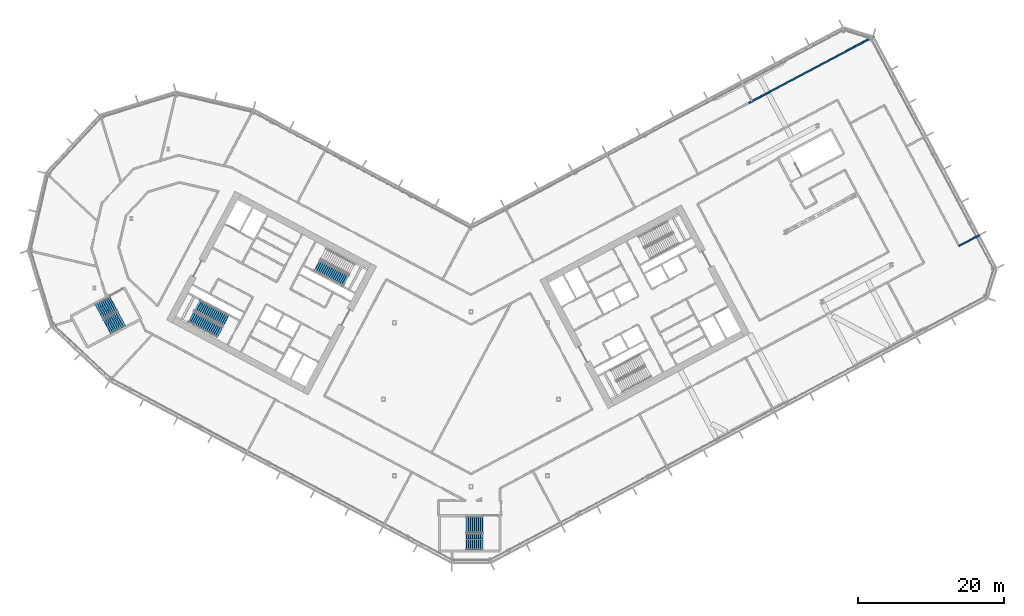
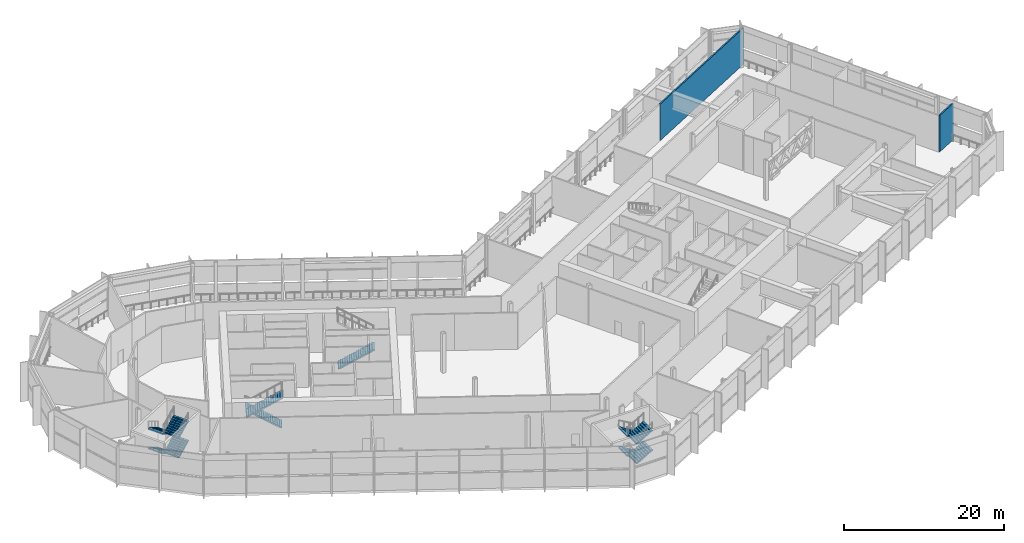
# One storey, part 17 of 33: 11 stair flights, 2 walls, 4 elements without a shape of their own.
"""IFC4 building model written with IfcOpenShell, lengths in metres."""

from ifc_helpers import new_model, si_unit, direction, frame, frame_2d, origin, place, context, subcontext, project, spatial, polyline, rectangle, outline, extrude, material, layer, layer_set, type_object, element, aggregate, save


model = new_model("IFC4")

# Units and contexts
model_context = context("Model", 3, precision=1e-05, world=origin(), true_north=direction((0.0, 1.0)))
body_context = subcontext(model_context, "Body", "Model", "MODEL_VIEW")
ifc_project = project(units=[si_unit("LENGTHUNIT", "METRE"), si_unit("AREAUNIT", "SQUARE_METRE"), si_unit("VOLUMEUNIT", "CUBIC_METRE"), si_unit("PLANEANGLEUNIT", "RADIAN"), si_unit("MASSUNIT", "GRAM", prefix="KILO")], contexts=[model_context])

# Site, building, storey
site_placement = place(None, origin())
site = spatial("IfcSite", under=ifc_project, at=site_placement, CompositionType="ELEMENT")
building_placement = place(site_placement, origin())
building = spatial("IfcBuilding", under=site, at=building_placement, Name="Cormorant Relay Tower", CompositionType="ELEMENT")
storey_placement = place(building_placement, frame((0.0, 0.0, 112.199951171875)))
storey = spatial("IfcBuildingStorey", under=building, at=storey_placement, Name="L22", CompositionType="ELEMENT", Elevation=112.199951171875)

# Walls
ifc_material_1 = material(Name="Fire-rated gypsum board partition")
ifc_layer = layer(ifc_material_1, 0.199951171875)
ifc_layer_set = layer_set([ifc_layer], Name="Fire-rated gypsum partition 200")
wall_type = type_object("IfcWallType", Name="Fire-rated gypsum partition 200", PredefinedType="PARTITIONING", material=ifc_layer_set)
wall_1_placement = place(storey_placement, frame((38.028076171875, 40.60693359375, 0.0), z_axis=(0.0, 0.0, 1.0), x_axis=(0.882955326711, 0.469457017237, 0.0)))
element("IfcWall", 1, at=wall_1_placement, inside=storey, type_object=wall_type, Name="wall/L22/part/67", PredefinedType="PARTITIONING", context=body_context, shape_type="SweptSolid", body=[
    extrude(rectangle(XDim=19.576171875, YDim=0.199951171875, at=frame_2d((9.7880859375, 0.0))), origin(), (0.0, 0.0, 1.0), 5.550048828125),
])
wall_2_placement = place(storey_placement, frame((66.9580078125, 21.0419921875, 0.0), z_axis=(0.0, 0.0, 1.0), x_axis=(0.883221370652, 0.468956299056, 0.0)))
element("IfcWall", 2, at=wall_2_placement, inside=storey, type_object=wall_type, Name="wall/L22/part/85", PredefinedType="PARTITIONING", context=body_context, shape_type="SweptSolid", body=[
    extrude(rectangle(XDim=3.20068359375, YDim=0.199951171875, at=frame_2d((1.600341796875, 0.0))), origin(), (0.0, 0.0, 1.0), 5.550048828125),
])

# Stair, stair flight
ifc_material_2 = material(Name="Concrete 40 MPa", Category="concrete")
stair_type_1 = type_object("IfcStairType", Name="Exit stair 1500", PredefinedType="HALF_TURN_STAIR", material=ifc_material_2)
stair_1_placement = place(storey_placement, origin())
stair_1 = element("IfcStair", 3, at=stair_1_placement, inside=storey, type_object=stair_type_1, Name="L22 Stair", PredefinedType="HALF_TURN_STAIR")
ifc_material_3 = material(Name="Concrete 40 MPa", Category="concrete")
stair_flight_type_1 = type_object("IfcStairFlightType", Name="Exit stair flight 1650", PredefinedType="STRAIGHT", material=ifc_material_3)
stair_flight_1_placement = place(storey_placement, frame((-21.114501953125, 18.33349609375, 0.0), z_axis=(0.0, 0.0, 1.0), x_axis=(0.882947592859, -0.469471562786, 0.0)))
stair_flight_1 = element("IfcStairFlight", 4, at=stair_flight_1_placement, type_object=stair_flight_type_1, Name="A1 flight 1", NumberOfRisers=17, NumberOfTreads=16, PredefinedType="STRAIGHT", RiserHeight=0.176470588, TreadLength=0.28, context=body_context, shape_type="SweptSolid", body=[
    extrude(outline(polyline([(-0.050048828125, -0.080078125), (-0.050048828125, 0.0), (0.0, 0.0), (0.0, 0.176513671875), (0.280029296875, 0.176513671875), (0.280029296875, 0.35302734375), (0.56005859375, 0.35302734375), (0.56005859375, 0.529296875), (0.840087890625, 0.529296875), (0.840087890625, 0.705810546875), (1.1201171875, 0.705810546875), (1.1201171875, 0.88232421875), (1.39990234375, 0.88232421875), (1.39990234375, 1.058837890625), (1.679931640625, 1.058837890625), (1.679931640625, 1.2353515625), (1.9599609375, 1.2353515625), (1.9599609375, 1.411865234375), (2.239990234375, 1.411865234375), (2.239990234375, 1.588134765625), (2.52001953125, 1.588134765625), (2.52001953125, 1.7646484375), (2.800048828125, 1.7646484375), (2.800048828125, 1.941162109375), (3.080078125, 1.941162109375), (3.080078125, 2.11767578125), (3.360107421875, 2.11767578125), (3.360107421875, 2.294189453125), (3.639892578125, 2.294189453125), (3.639892578125, 2.470703125), (3.919921875, 2.470703125), (3.919921875, 2.64697265625), (4.199951171875, 2.64697265625), (4.199951171875, 2.823486328125), (4.47998046875, 2.823486328125), (4.530029296875, 2.823486328125), (4.530029296875, 2.646240234375), (4.47998046875, 2.646240234375), (0.28125, 0.0), (-0.050048828125, -0.080078125)])), frame((0.0, 0.824951171875, 0.0), z_axis=(0.0, -1.0, 0.0), x_axis=(1.0, 0.0, 0.0)), (0.0, 0.0, 1.0), 1.64990234375),
])
aggregate(stair_1, [stair_flight_1])

# Stair, stair flights
stair_2_placement = place(storey_placement, origin())
stair_2 = element("IfcStair", 5, at=stair_2_placement, inside=storey, type_object=stair_type_1, Name="L22 Stair", PredefinedType="HALF_TURN_STAIR")
stair_flight_2_placement = place(storey_placement, frame((-33.62841796875, 10.773681640625, 0.0), z_axis=(0.0, 0.0, 1.0), x_axis=(-0.882947592859, 0.469471562786, 0.0)))
stair_flight_2 = element("IfcStairFlight", 6, at=stair_flight_2_placement, type_object=stair_flight_type_1, Name="A2 flight 1", NumberOfRisers=17, NumberOfTreads=16, PredefinedType="STRAIGHT", RiserHeight=0.176470588, TreadLength=0.28, context=body_context, shape_type="SweptSolid", body=[
    extrude(outline(polyline([(-0.050048828125, -0.080078125), (-0.050048828125, 0.0), (0.0, 0.0), (0.0, 0.176513671875), (0.280029296875, 0.176513671875), (0.280029296875, 0.35302734375), (0.56005859375, 0.35302734375), (0.56005859375, 0.529296875), (0.840087890625, 0.529296875), (0.840087890625, 0.705810546875), (1.1201171875, 0.705810546875), (1.1201171875, 0.88232421875), (1.39990234375, 0.88232421875), (1.39990234375, 1.058837890625), (1.679931640625, 1.058837890625), (1.679931640625, 1.2353515625), (1.9599609375, 1.2353515625), (1.9599609375, 1.411865234375), (2.239990234375, 1.411865234375), (2.239990234375, 1.588134765625), (2.52001953125, 1.588134765625), (2.52001953125, 1.7646484375), (2.800048828125, 1.7646484375), (2.800048828125, 1.941162109375), (3.080078125, 1.941162109375), (3.080078125, 2.11767578125), (3.360107421875, 2.11767578125), (3.360107421875, 2.294189453125), (3.639892578125, 2.294189453125), (3.639892578125, 2.470703125), (3.919921875, 2.470703125), (3.919921875, 2.64697265625), (4.199951171875, 2.64697265625), (4.199951171875, 2.823486328125), (4.47998046875, 2.823486328125), (4.530029296875, 2.823486328125), (4.530029296875, 2.646240234375), (4.47998046875, 2.646240234375), (0.28125, 0.0), (-0.050048828125, -0.080078125)])), frame((0.0, 0.824951171875, 0.0), z_axis=(0.0, -1.0, 0.0), x_axis=(1.0, 0.0, 0.0)), (0.0, 0.0, 1.0), 1.64990234375),
])
stair_flight_3_placement = place(storey_placement, frame((-38.428955078125, 11.28759765625, 3.0), z_axis=(0.0, 0.0, 1.0), x_axis=(0.882947592859, -0.469471562786, 0.0)))
stair_flight_3 = element("IfcStairFlight", 7, at=stair_flight_3_placement, type_object=stair_flight_type_1, Name="A2 flight 2", NumberOfRisers=17, NumberOfTreads=16, PredefinedType="STRAIGHT", RiserHeight=0.176470588, TreadLength=0.28, context=body_context, shape_type="SweptSolid", body=[
    extrude(outline(polyline([(-0.050048828125, -0.080078125), (-0.050048828125, 0.0), (0.0, 0.0), (0.0, 0.176513671875), (0.280029296875, 0.176513671875), (0.280029296875, 0.35302734375), (0.56005859375, 0.35302734375), (0.56005859375, 0.529296875), (0.840087890625, 0.529296875), (0.840087890625, 0.705810546875), (1.1201171875, 0.705810546875), (1.1201171875, 0.88232421875), (1.39990234375, 0.88232421875), (1.39990234375, 1.058837890625), (1.679931640625, 1.058837890625), (1.679931640625, 1.2353515625), (1.9599609375, 1.2353515625), (1.9599609375, 1.411865234375), (2.239990234375, 1.411865234375), (2.239990234375, 1.588134765625), (2.52001953125, 1.588134765625), (2.52001953125, 1.7646484375), (2.800048828125, 1.7646484375), (2.800048828125, 1.941162109375), (3.080078125, 1.941162109375), (3.080078125, 2.11767578125), (3.360107421875, 2.11767578125), (3.360107421875, 2.294189453125), (3.639892578125, 2.294189453125), (3.639892578125, 2.470703125), (3.919921875, 2.470703125), (3.919921875, 2.64697265625), (4.199951171875, 2.64697265625), (4.199951171875, 2.823486328125), (4.47998046875, 2.823486328125), (4.530029296875, 2.823486328125), (4.530029296875, 2.646240234375), (4.47998046875, 2.646240234375), (0.28125, 0.0), (-0.050048828125, -0.080078125)])), frame((0.0, 0.824951171875, 0.0), z_axis=(0.0, -1.0, 0.0), x_axis=(1.0, 0.0, 0.0)), (0.0, 0.0, 1.0), 1.64990234375),
])
aggregate(stair_2, [stair_flight_2, stair_flight_3])

ifc_material_4 = material(Name="Concrete 40 MPa", Category="concrete")
stair_type_2 = type_object("IfcStairType", Name="Remote exit stair 2200", PredefinedType="HALF_TURN_STAIR", material=ifc_material_4)
stair_3_placement = place(storey_placement, origin())
stair_3 = element("IfcStair", 8, at=stair_3_placement, inside=storey, type_object=stair_type_2, Name="L22 Stair", PredefinedType="HALF_TURN_STAIR")
ifc_material_5 = material(Name="Concrete 40 MPa", Category="concrete")
stair_flight_type_2 = type_object("IfcStairFlightType", Name="Remote exit stair flight 2200", PredefinedType="STRAIGHT", material=ifc_material_5)
stair_flight_4_placement = place(storey_placement, frame((1.60009765625, -17.22509765625, 0.0), z_axis=(0.0, 0.0, 1.0), x_axis=(-1.0, 0.0, 0.0)))
stair_flight_4 = element("IfcStairFlight", 9, at=stair_flight_4_placement, type_object=stair_flight_type_2, Name="RK1 flight 1", NumberOfRisers=9, NumberOfTreads=8, PredefinedType="STRAIGHT", RiserHeight=0.166666667, TreadLength=0.28, context=body_context, shape_type="SweptSolid", body=[
    extrude(outline(polyline([(-0.050048828125, -0.080078125), (-0.050048828125, 0.0), (0.0, 0.0), (0.0, 0.166748046875), (0.280029296875, 0.166748046875), (0.280029296875, 0.333251953125), (0.56005859375, 0.333251953125), (0.56005859375, 0.5), (0.840087890625, 0.5), (0.840087890625, 0.666748046875), (1.1201171875, 0.666748046875), (1.1201171875, 0.833251953125), (1.39990234375, 0.833251953125), (1.39990234375, 1.0), (1.679931640625, 1.0), (1.679931640625, 1.166748046875), (1.9599609375, 1.166748046875), (1.9599609375, 1.333251953125), (2.239990234375, 1.333251953125), (2.2900390625, 1.333251953125), (2.2900390625, 1.158935546875), (2.239990234375, 1.158935546875), (0.29296875, 0.0), (-0.050048828125, -0.080078125)])), frame((0.0, 1.10009765625, 0.0), z_axis=(0.0, -1.0, 0.0), x_axis=(1.0, 0.0, 0.0)), (0.0, 0.0, 1.0), 0.719970703125),
    extrude(outline(polyline([(-0.050048828125, -0.080078125), (-0.050048828125, 0.0), (0.0, 0.0), (0.0, 0.166748046875), (0.280029296875, 0.166748046875), (0.280029296875, 0.333251953125), (0.56005859375, 0.333251953125), (0.56005859375, 0.5), (0.840087890625, 0.5), (0.840087890625, 0.666748046875), (1.1201171875, 0.666748046875), (1.1201171875, 0.833251953125), (1.39990234375, 0.833251953125), (1.39990234375, 1.0), (1.679931640625, 1.0), (1.679931640625, 1.166748046875), (1.9599609375, 1.166748046875), (1.9599609375, 1.333251953125), (2.239990234375, 1.333251953125), (2.2900390625, 1.333251953125), (2.2900390625, 1.158935546875), (2.239990234375, 1.158935546875), (0.29296875, 0.0), (-0.050048828125, -0.080078125)])), frame((0.0, 0.360107421875, 0.0), z_axis=(0.0, -1.0, 0.0), x_axis=(1.0, 0.0, 0.0)), (0.0, 0.0, 1.0), 0.719970703125),
    extrude(outline(polyline([(-0.050048828125, -0.080078125), (-0.050048828125, 0.0), (0.0, 0.0), (0.0, 0.166748046875), (0.280029296875, 0.166748046875), (0.280029296875, 0.333251953125), (0.56005859375, 0.333251953125), (0.56005859375, 0.5), (0.840087890625, 0.5), (0.840087890625, 0.666748046875), (1.1201171875, 0.666748046875), (1.1201171875, 0.833251953125), (1.39990234375, 0.833251953125), (1.39990234375, 1.0), (1.679931640625, 1.0), (1.679931640625, 1.166748046875), (1.9599609375, 1.166748046875), (1.9599609375, 1.333251953125), (2.239990234375, 1.333251953125), (2.2900390625, 1.333251953125), (2.2900390625, 1.158935546875), (2.239990234375, 1.158935546875), (0.29296875, 0.0), (-0.050048828125, -0.080078125)])), frame((0.0, -0.3798828125, 0.0), z_axis=(0.0, -1.0, 0.0), x_axis=(1.0, 0.0, 0.0)), (0.0, 0.0, 1.0), 0.719970703125),
])
stair_flight_5_placement = place(storey_placement, frame((-0.639892578125, -19.574951171875, 1.5), z_axis=(0.0, 0.0, 1.0), x_axis=(1.0, 0.0, 0.0)))
stair_flight_5 = element("IfcStairFlight", 10, at=stair_flight_5_placement, type_object=stair_flight_type_2, Name="RK1 flight 2", NumberOfRisers=9, NumberOfTreads=8, PredefinedType="STRAIGHT", RiserHeight=0.166666667, TreadLength=0.28, context=body_context, shape_type="SweptSolid", body=[
    extrude(outline(polyline([(-0.050048828125, -0.080078125), (-0.050048828125, 0.0), (0.0, 0.0), (0.0, 0.166748046875), (0.280029296875, 0.166748046875), (0.280029296875, 0.333251953125), (0.56005859375, 0.333251953125), (0.56005859375, 0.5), (0.840087890625, 0.5), (0.840087890625, 0.666748046875), (1.1201171875, 0.666748046875), (1.1201171875, 0.833251953125), (1.39990234375, 0.833251953125), (1.39990234375, 1.0), (1.679931640625, 1.0), (1.679931640625, 1.166748046875), (1.9599609375, 1.166748046875), (1.9599609375, 1.333251953125), (2.239990234375, 1.333251953125), (2.2900390625, 1.333251953125), (2.2900390625, 1.158935546875), (2.239990234375, 1.158935546875), (0.29296875, 0.0), (-0.050048828125, -0.080078125)])), frame((0.0, 1.10009765625, 0.0), z_axis=(0.0, -1.0, 0.0), x_axis=(1.0, 0.0, 0.0)), (0.0, 0.0, 1.0), 0.719970703125),
    extrude(outline(polyline([(-0.050048828125, -0.080078125), (-0.050048828125, 0.0), (0.0, 0.0), (0.0, 0.166748046875), (0.280029296875, 0.166748046875), (0.280029296875, 0.333251953125), (0.56005859375, 0.333251953125), (0.56005859375, 0.5), (0.840087890625, 0.5), (0.840087890625, 0.666748046875), (1.1201171875, 0.666748046875), (1.1201171875, 0.833251953125), (1.39990234375, 0.833251953125), (1.39990234375, 1.0), (1.679931640625, 1.0), (1.679931640625, 1.166748046875), (1.9599609375, 1.166748046875), (1.9599609375, 1.333251953125), (2.239990234375, 1.333251953125), (2.2900390625, 1.333251953125), (2.2900390625, 1.158935546875), (2.239990234375, 1.158935546875), (0.29296875, 0.0), (-0.050048828125, -0.080078125)])), frame((0.0, 0.360107421875, 0.0), z_axis=(0.0, -1.0, 0.0), x_axis=(1.0, 0.0, 0.0)), (0.0, 0.0, 1.0), 0.719970703125),
    extrude(outline(polyline([(-0.050048828125, -0.080078125), (-0.050048828125, 0.0), (0.0, 0.0), (0.0, 0.166748046875), (0.280029296875, 0.166748046875), (0.280029296875, 0.333251953125), (0.56005859375, 0.333251953125), (0.56005859375, 0.5), (0.840087890625, 0.5), (0.840087890625, 0.666748046875), (1.1201171875, 0.666748046875), (1.1201171875, 0.833251953125), (1.39990234375, 0.833251953125), (1.39990234375, 1.0), (1.679931640625, 1.0), (1.679931640625, 1.166748046875), (1.9599609375, 1.166748046875), (1.9599609375, 1.333251953125), (2.239990234375, 1.333251953125), (2.2900390625, 1.333251953125), (2.2900390625, 1.158935546875), (2.239990234375, 1.158935546875), (0.29296875, 0.0), (-0.050048828125, -0.080078125)])), frame((0.0, -0.3798828125, 0.0), z_axis=(0.0, -1.0, 0.0), x_axis=(1.0, 0.0, 0.0)), (0.0, 0.0, 1.0), 0.719970703125),
])
stair_flight_6_placement = place(storey_placement, frame((1.60009765625, -17.22509765625, 3.0), z_axis=(0.0, 0.0, 1.0), x_axis=(-1.0, 0.0, 0.0)))
stair_flight_6 = element("IfcStairFlight", 11, at=stair_flight_6_placement, type_object=stair_flight_type_2, Name="RK1 flight 3", NumberOfRisers=9, NumberOfTreads=8, PredefinedType="STRAIGHT", RiserHeight=0.166666667, TreadLength=0.28, context=body_context, shape_type="SweptSolid", body=[
    extrude(outline(polyline([(-0.050048828125, -0.080078125), (-0.050048828125, 0.0), (0.0, 0.0), (0.0, 0.166748046875), (0.280029296875, 0.166748046875), (0.280029296875, 0.333251953125), (0.56005859375, 0.333251953125), (0.56005859375, 0.5), (0.840087890625, 0.5), (0.840087890625, 0.666748046875), (1.1201171875, 0.666748046875), (1.1201171875, 0.833251953125), (1.39990234375, 0.833251953125), (1.39990234375, 1.0), (1.679931640625, 1.0), (1.679931640625, 1.166748046875), (1.9599609375, 1.166748046875), (1.9599609375, 1.333251953125), (2.239990234375, 1.333251953125), (2.2900390625, 1.333251953125), (2.2900390625, 1.158935546875), (2.239990234375, 1.158935546875), (0.29296875, 0.0), (-0.050048828125, -0.080078125)])), frame((0.0, 1.10009765625, 0.0), z_axis=(0.0, -1.0, 0.0), x_axis=(1.0, 0.0, 0.0)), (0.0, 0.0, 1.0), 0.719970703125),
    extrude(outline(polyline([(-0.050048828125, -0.080078125), (-0.050048828125, 0.0), (0.0, 0.0), (0.0, 0.166748046875), (0.280029296875, 0.166748046875), (0.280029296875, 0.333251953125), (0.56005859375, 0.333251953125), (0.56005859375, 0.5), (0.840087890625, 0.5), (0.840087890625, 0.666748046875), (1.1201171875, 0.666748046875), (1.1201171875, 0.833251953125), (1.39990234375, 0.833251953125), (1.39990234375, 1.0), (1.679931640625, 1.0), (1.679931640625, 1.166748046875), (1.9599609375, 1.166748046875), (1.9599609375, 1.333251953125), (2.239990234375, 1.333251953125), (2.2900390625, 1.333251953125), (2.2900390625, 1.158935546875), (2.239990234375, 1.158935546875), (0.29296875, 0.0), (-0.050048828125, -0.080078125)])), frame((0.0, 0.360107421875, 0.0), z_axis=(0.0, -1.0, 0.0), x_axis=(1.0, 0.0, 0.0)), (0.0, 0.0, 1.0), 0.719970703125),
    extrude(outline(polyline([(-0.050048828125, -0.080078125), (-0.050048828125, 0.0), (0.0, 0.0), (0.0, 0.166748046875), (0.280029296875, 0.166748046875), (0.280029296875, 0.333251953125), (0.56005859375, 0.333251953125), (0.56005859375, 0.5), (0.840087890625, 0.5), (0.840087890625, 0.666748046875), (1.1201171875, 0.666748046875), (1.1201171875, 0.833251953125), (1.39990234375, 0.833251953125), (1.39990234375, 1.0), (1.679931640625, 1.0), (1.679931640625, 1.166748046875), (1.9599609375, 1.166748046875), (1.9599609375, 1.333251953125), (2.239990234375, 1.333251953125), (2.2900390625, 1.333251953125), (2.2900390625, 1.158935546875), (2.239990234375, 1.158935546875), (0.29296875, 0.0), (-0.050048828125, -0.080078125)])), frame((0.0, -0.3798828125, 0.0), z_axis=(0.0, -1.0, 0.0), x_axis=(1.0, 0.0, 0.0)), (0.0, 0.0, 1.0), 0.719970703125),
])
stair_flight_7_placement = place(storey_placement, frame((-0.639892578125, -19.574951171875, 4.5), z_axis=(0.0, 0.0, 1.0), x_axis=(1.0, 0.0, 0.0)))
stair_flight_7 = element("IfcStairFlight", 12, at=stair_flight_7_placement, type_object=stair_flight_type_2, Name="RK1 flight 4", NumberOfRisers=9, NumberOfTreads=8, PredefinedType="STRAIGHT", RiserHeight=0.166666667, TreadLength=0.28, context=body_context, shape_type="SweptSolid", body=[
    extrude(outline(polyline([(-0.050048828125, -0.080078125), (-0.050048828125, 0.0), (0.0, 0.0), (0.0, 0.166748046875), (0.280029296875, 0.166748046875), (0.280029296875, 0.333251953125), (0.56005859375, 0.333251953125), (0.56005859375, 0.5), (0.840087890625, 0.5), (0.840087890625, 0.666748046875), (1.1201171875, 0.666748046875), (1.1201171875, 0.833251953125), (1.39990234375, 0.833251953125), (1.39990234375, 1.0), (1.679931640625, 1.0), (1.679931640625, 1.166748046875), (1.9599609375, 1.166748046875), (1.9599609375, 1.333251953125), (2.239990234375, 1.333251953125), (2.2900390625, 1.333251953125), (2.2900390625, 1.158935546875), (2.239990234375, 1.158935546875), (0.29296875, 0.0), (-0.050048828125, -0.080078125)])), frame((0.0, 1.10009765625, 0.0), z_axis=(0.0, -1.0, 0.0), x_axis=(1.0, 0.0, 0.0)), (0.0, 0.0, 1.0), 0.719970703125),
    extrude(outline(polyline([(-0.050048828125, -0.080078125), (-0.050048828125, 0.0), (0.0, 0.0), (0.0, 0.166748046875), (0.280029296875, 0.166748046875), (0.280029296875, 0.333251953125), (0.56005859375, 0.333251953125), (0.56005859375, 0.5), (0.840087890625, 0.5), (0.840087890625, 0.666748046875), (1.1201171875, 0.666748046875), (1.1201171875, 0.833251953125), (1.39990234375, 0.833251953125), (1.39990234375, 1.0), (1.679931640625, 1.0), (1.679931640625, 1.166748046875), (1.9599609375, 1.166748046875), (1.9599609375, 1.333251953125), (2.239990234375, 1.333251953125), (2.2900390625, 1.333251953125), (2.2900390625, 1.158935546875), (2.239990234375, 1.158935546875), (0.29296875, 0.0), (-0.050048828125, -0.080078125)])), frame((0.0, 0.360107421875, 0.0), z_axis=(0.0, -1.0, 0.0), x_axis=(1.0, 0.0, 0.0)), (0.0, 0.0, 1.0), 0.719970703125),
    extrude(outline(polyline([(-0.050048828125, -0.080078125), (-0.050048828125, 0.0), (0.0, 0.0), (0.0, 0.166748046875), (0.280029296875, 0.166748046875), (0.280029296875, 0.333251953125), (0.56005859375, 0.333251953125), (0.56005859375, 0.5), (0.840087890625, 0.5), (0.840087890625, 0.666748046875), (1.1201171875, 0.666748046875), (1.1201171875, 0.833251953125), (1.39990234375, 0.833251953125), (1.39990234375, 1.0), (1.679931640625, 1.0), (1.679931640625, 1.166748046875), (1.9599609375, 1.166748046875), (1.9599609375, 1.333251953125), (2.239990234375, 1.333251953125), (2.2900390625, 1.333251953125), (2.2900390625, 1.158935546875), (2.239990234375, 1.158935546875), (0.29296875, 0.0), (-0.050048828125, -0.080078125)])), frame((0.0, -0.3798828125, 0.0), z_axis=(0.0, -1.0, 0.0), x_axis=(1.0, 0.0, 0.0)), (0.0, 0.0, 1.0), 0.719970703125),
])
aggregate(stair_3, [stair_flight_4, stair_flight_5, stair_flight_6, stair_flight_7])

stair_4_placement = place(storey_placement, origin())
stair_4 = element("IfcStair", 13, at=stair_4_placement, inside=storey, type_object=stair_type_2, Name="L22 Stair", PredefinedType="HALF_TURN_STAIR")
stair_flight_8_placement = place(storey_placement, frame((-49.062255859375, 13.08251953125, 0.0), z_axis=(0.0, 0.0, 1.0), x_axis=(-0.882947502727, -0.4694717323, 0.0)))
stair_flight_8 = element("IfcStairFlight", 14, at=stair_flight_8_placement, type_object=stair_flight_type_2, Name="RP1 flight 1", NumberOfRisers=9, NumberOfTreads=8, PredefinedType="STRAIGHT", RiserHeight=0.166666667, TreadLength=0.28, context=body_context, shape_type="SweptSolid", body=[
    extrude(outline(polyline([(-0.050048828125, -0.080078125), (-0.050048828125, 0.0), (0.0, 0.0), (0.0, 0.166748046875), (0.280029296875, 0.166748046875), (0.280029296875, 0.333251953125), (0.56005859375, 0.333251953125), (0.56005859375, 0.5), (0.840087890625, 0.5), (0.840087890625, 0.666748046875), (1.1201171875, 0.666748046875), (1.1201171875, 0.833251953125), (1.39990234375, 0.833251953125), (1.39990234375, 1.0), (1.679931640625, 1.0), (1.679931640625, 1.166748046875), (1.9599609375, 1.166748046875), (1.9599609375, 1.333251953125), (2.239990234375, 1.333251953125), (2.2900390625, 1.333251953125), (2.2900390625, 1.158935546875), (2.239990234375, 1.158935546875), (0.29296875, 0.0), (-0.050048828125, -0.080078125)])), frame((0.0, 1.10009765625, 0.0), z_axis=(0.0, -1.0, 0.0), x_axis=(1.0, 0.0, 0.0)), (0.0, 0.0, 1.0), 0.719970703125),
    extrude(outline(polyline([(-0.050048828125, -0.080078125), (-0.050048828125, 0.0), (0.0, 0.0), (0.0, 0.166748046875), (0.280029296875, 0.166748046875), (0.280029296875, 0.333251953125), (0.56005859375, 0.333251953125), (0.56005859375, 0.5), (0.840087890625, 0.5), (0.840087890625, 0.666748046875), (1.1201171875, 0.666748046875), (1.1201171875, 0.833251953125), (1.39990234375, 0.833251953125), (1.39990234375, 1.0), (1.679931640625, 1.0), (1.679931640625, 1.166748046875), (1.9599609375, 1.166748046875), (1.9599609375, 1.333251953125), (2.239990234375, 1.333251953125), (2.2900390625, 1.333251953125), (2.2900390625, 1.158935546875), (2.239990234375, 1.158935546875), (0.29296875, 0.0), (-0.050048828125, -0.080078125)])), frame((0.0, 0.360107421875, 0.0), z_axis=(0.0, -1.0, 0.0), x_axis=(1.0, 0.0, 0.0)), (0.0, 0.0, 1.0), 0.719970703125),
    extrude(outline(polyline([(-0.050048828125, -0.080078125), (-0.050048828125, 0.0), (0.0, 0.0), (0.0, 0.166748046875), (0.280029296875, 0.166748046875), (0.280029296875, 0.333251953125), (0.56005859375, 0.333251953125), (0.56005859375, 0.5), (0.840087890625, 0.5), (0.840087890625, 0.666748046875), (1.1201171875, 0.666748046875), (1.1201171875, 0.833251953125), (1.39990234375, 0.833251953125), (1.39990234375, 1.0), (1.679931640625, 1.0), (1.679931640625, 1.166748046875), (1.9599609375, 1.166748046875), (1.9599609375, 1.333251953125), (2.239990234375, 1.333251953125), (2.2900390625, 1.333251953125), (2.2900390625, 1.158935546875), (2.239990234375, 1.158935546875), (0.29296875, 0.0), (-0.050048828125, -0.080078125)])), frame((0.0, -0.3798828125, 0.0), z_axis=(0.0, -1.0, 0.0), x_axis=(1.0, 0.0, 0.0)), (0.0, 0.0, 1.0), 0.719970703125),
])
stair_flight_9_placement = place(storey_placement, frame((-49.936767578125, 9.9560546875, 1.5), z_axis=(0.0, 0.0, 1.0), x_axis=(0.882947502727, 0.4694717323, 0.0)))
stair_flight_9 = element("IfcStairFlight", 15, at=stair_flight_9_placement, type_object=stair_flight_type_2, Name="RP1 flight 2", NumberOfRisers=9, NumberOfTreads=8, PredefinedType="STRAIGHT", RiserHeight=0.166666667, TreadLength=0.28, context=body_context, shape_type="SweptSolid", body=[
    extrude(outline(polyline([(-0.050048828125, -0.080078125), (-0.050048828125, 0.0), (0.0, 0.0), (0.0, 0.166748046875), (0.280029296875, 0.166748046875), (0.280029296875, 0.333251953125), (0.56005859375, 0.333251953125), (0.56005859375, 0.5), (0.840087890625, 0.5), (0.840087890625, 0.666748046875), (1.1201171875, 0.666748046875), (1.1201171875, 0.833251953125), (1.39990234375, 0.833251953125), (1.39990234375, 1.0), (1.679931640625, 1.0), (1.679931640625, 1.166748046875), (1.9599609375, 1.166748046875), (1.9599609375, 1.333251953125), (2.239990234375, 1.333251953125), (2.2900390625, 1.333251953125), (2.2900390625, 1.158935546875), (2.239990234375, 1.158935546875), (0.29296875, 0.0), (-0.050048828125, -0.080078125)])), frame((0.0, 1.10009765625, 0.0), z_axis=(0.0, -1.0, 0.0), x_axis=(1.0, 0.0, 0.0)), (0.0, 0.0, 1.0), 0.719970703125),
    extrude(outline(polyline([(-0.050048828125, -0.080078125), (-0.050048828125, 0.0), (0.0, 0.0), (0.0, 0.166748046875), (0.280029296875, 0.166748046875), (0.280029296875, 0.333251953125), (0.56005859375, 0.333251953125), (0.56005859375, 0.5), (0.840087890625, 0.5), (0.840087890625, 0.666748046875), (1.1201171875, 0.666748046875), (1.1201171875, 0.833251953125), (1.39990234375, 0.833251953125), (1.39990234375, 1.0), (1.679931640625, 1.0), (1.679931640625, 1.166748046875), (1.9599609375, 1.166748046875), (1.9599609375, 1.333251953125), (2.239990234375, 1.333251953125), (2.2900390625, 1.333251953125), (2.2900390625, 1.158935546875), (2.239990234375, 1.158935546875), (0.29296875, 0.0), (-0.050048828125, -0.080078125)])), frame((0.0, 0.360107421875, 0.0), z_axis=(0.0, -1.0, 0.0), x_axis=(1.0, 0.0, 0.0)), (0.0, 0.0, 1.0), 0.719970703125),
    extrude(outline(polyline([(-0.050048828125, -0.080078125), (-0.050048828125, 0.0), (0.0, 0.0), (0.0, 0.166748046875), (0.280029296875, 0.166748046875), (0.280029296875, 0.333251953125), (0.56005859375, 0.333251953125), (0.56005859375, 0.5), (0.840087890625, 0.5), (0.840087890625, 0.666748046875), (1.1201171875, 0.666748046875), (1.1201171875, 0.833251953125), (1.39990234375, 0.833251953125), (1.39990234375, 1.0), (1.679931640625, 1.0), (1.679931640625, 1.166748046875), (1.9599609375, 1.166748046875), (1.9599609375, 1.333251953125), (2.239990234375, 1.333251953125), (2.2900390625, 1.333251953125), (2.2900390625, 1.158935546875), (2.239990234375, 1.158935546875), (0.29296875, 0.0), (-0.050048828125, -0.080078125)])), frame((0.0, -0.3798828125, 0.0), z_axis=(0.0, -1.0, 0.0), x_axis=(1.0, 0.0, 0.0)), (0.0, 0.0, 1.0), 0.719970703125),
])
stair_flight_10_placement = place(storey_placement, frame((-49.062255859375, 13.08251953125, 3.0), z_axis=(0.0, 0.0, 1.0), x_axis=(-0.882947502727, -0.4694717323, 0.0)))
stair_flight_10 = element("IfcStairFlight", 16, at=stair_flight_10_placement, type_object=stair_flight_type_2, Name="RP1 flight 3", NumberOfRisers=9, NumberOfTreads=8, PredefinedType="STRAIGHT", RiserHeight=0.166666667, TreadLength=0.28, context=body_context, shape_type="SweptSolid", body=[
    extrude(outline(polyline([(-0.050048828125, -0.080078125), (-0.050048828125, 0.0), (0.0, 0.0), (0.0, 0.166748046875), (0.280029296875, 0.166748046875), (0.280029296875, 0.333251953125), (0.56005859375, 0.333251953125), (0.56005859375, 0.5), (0.840087890625, 0.5), (0.840087890625, 0.666748046875), (1.1201171875, 0.666748046875), (1.1201171875, 0.833251953125), (1.39990234375, 0.833251953125), (1.39990234375, 1.0), (1.679931640625, 1.0), (1.679931640625, 1.166748046875), (1.9599609375, 1.166748046875), (1.9599609375, 1.333251953125), (2.239990234375, 1.333251953125), (2.2900390625, 1.333251953125), (2.2900390625, 1.158935546875), (2.239990234375, 1.158935546875), (0.29296875, 0.0), (-0.050048828125, -0.080078125)])), frame((0.0, 1.10009765625, 0.0), z_axis=(0.0, -1.0, 0.0), x_axis=(1.0, 0.0, 0.0)), (0.0, 0.0, 1.0), 0.719970703125),
    extrude(outline(polyline([(-0.050048828125, -0.080078125), (-0.050048828125, 0.0), (0.0, 0.0), (0.0, 0.166748046875), (0.280029296875, 0.166748046875), (0.280029296875, 0.333251953125), (0.56005859375, 0.333251953125), (0.56005859375, 0.5), (0.840087890625, 0.5), (0.840087890625, 0.666748046875), (1.1201171875, 0.666748046875), (1.1201171875, 0.833251953125), (1.39990234375, 0.833251953125), (1.39990234375, 1.0), (1.679931640625, 1.0), (1.679931640625, 1.166748046875), (1.9599609375, 1.166748046875), (1.9599609375, 1.333251953125), (2.239990234375, 1.333251953125), (2.2900390625, 1.333251953125), (2.2900390625, 1.158935546875), (2.239990234375, 1.158935546875), (0.29296875, 0.0), (-0.050048828125, -0.080078125)])), frame((0.0, 0.360107421875, 0.0), z_axis=(0.0, -1.0, 0.0), x_axis=(1.0, 0.0, 0.0)), (0.0, 0.0, 1.0), 0.719970703125),
    extrude(outline(polyline([(-0.050048828125, -0.080078125), (-0.050048828125, 0.0), (0.0, 0.0), (0.0, 0.166748046875), (0.280029296875, 0.166748046875), (0.280029296875, 0.333251953125), (0.56005859375, 0.333251953125), (0.56005859375, 0.5), (0.840087890625, 0.5), (0.840087890625, 0.666748046875), (1.1201171875, 0.666748046875), (1.1201171875, 0.833251953125), (1.39990234375, 0.833251953125), (1.39990234375, 1.0), (1.679931640625, 1.0), (1.679931640625, 1.166748046875), (1.9599609375, 1.166748046875), (1.9599609375, 1.333251953125), (2.239990234375, 1.333251953125), (2.2900390625, 1.333251953125), (2.2900390625, 1.158935546875), (2.239990234375, 1.158935546875), (0.29296875, 0.0), (-0.050048828125, -0.080078125)])), frame((0.0, -0.3798828125, 0.0), z_axis=(0.0, -1.0, 0.0), x_axis=(1.0, 0.0, 0.0)), (0.0, 0.0, 1.0), 0.719970703125),
])
stair_flight_11_placement = place(storey_placement, frame((-49.936767578125, 9.9560546875, 4.5), z_axis=(0.0, 0.0, 1.0), x_axis=(0.882947502727, 0.4694717323, 0.0)))
stair_flight_11 = element("IfcStairFlight", 17, at=stair_flight_11_placement, type_object=stair_flight_type_2, Name="RP1 flight 4", NumberOfRisers=9, NumberOfTreads=8, PredefinedType="STRAIGHT", RiserHeight=0.166666667, TreadLength=0.28, context=body_context, shape_type="SweptSolid", body=[
    extrude(outline(polyline([(-0.050048828125, -0.080078125), (-0.050048828125, 0.0), (0.0, 0.0), (0.0, 0.166748046875), (0.280029296875, 0.166748046875), (0.280029296875, 0.333251953125), (0.56005859375, 0.333251953125), (0.56005859375, 0.5), (0.840087890625, 0.5), (0.840087890625, 0.666748046875), (1.1201171875, 0.666748046875), (1.1201171875, 0.833251953125), (1.39990234375, 0.833251953125), (1.39990234375, 1.0), (1.679931640625, 1.0), (1.679931640625, 1.166748046875), (1.9599609375, 1.166748046875), (1.9599609375, 1.333251953125), (2.239990234375, 1.333251953125), (2.2900390625, 1.333251953125), (2.2900390625, 1.158935546875), (2.239990234375, 1.158935546875), (0.29296875, 0.0), (-0.050048828125, -0.080078125)])), frame((0.0, 1.10009765625, 0.0), z_axis=(0.0, -1.0, 0.0), x_axis=(1.0, 0.0, 0.0)), (0.0, 0.0, 1.0), 0.719970703125),
    extrude(outline(polyline([(-0.050048828125, -0.080078125), (-0.050048828125, 0.0), (0.0, 0.0), (0.0, 0.166748046875), (0.280029296875, 0.166748046875), (0.280029296875, 0.333251953125), (0.56005859375, 0.333251953125), (0.56005859375, 0.5), (0.840087890625, 0.5), (0.840087890625, 0.666748046875), (1.1201171875, 0.666748046875), (1.1201171875, 0.833251953125), (1.39990234375, 0.833251953125), (1.39990234375, 1.0), (1.679931640625, 1.0), (1.679931640625, 1.166748046875), (1.9599609375, 1.166748046875), (1.9599609375, 1.333251953125), (2.239990234375, 1.333251953125), (2.2900390625, 1.333251953125), (2.2900390625, 1.158935546875), (2.239990234375, 1.158935546875), (0.29296875, 0.0), (-0.050048828125, -0.080078125)])), frame((0.0, 0.360107421875, 0.0), z_axis=(0.0, -1.0, 0.0), x_axis=(1.0, 0.0, 0.0)), (0.0, 0.0, 1.0), 0.719970703125),
    extrude(outline(polyline([(-0.050048828125, -0.080078125), (-0.050048828125, 0.0), (0.0, 0.0), (0.0, 0.166748046875), (0.280029296875, 0.166748046875), (0.280029296875, 0.333251953125), (0.56005859375, 0.333251953125), (0.56005859375, 0.5), (0.840087890625, 0.5), (0.840087890625, 0.666748046875), (1.1201171875, 0.666748046875), (1.1201171875, 0.833251953125), (1.39990234375, 0.833251953125), (1.39990234375, 1.0), (1.679931640625, 1.0), (1.679931640625, 1.166748046875), (1.9599609375, 1.166748046875), (1.9599609375, 1.333251953125), (2.239990234375, 1.333251953125), (2.2900390625, 1.333251953125), (2.2900390625, 1.158935546875), (2.239990234375, 1.158935546875), (0.29296875, 0.0), (-0.050048828125, -0.080078125)])), frame((0.0, -0.3798828125, 0.0), z_axis=(0.0, -1.0, 0.0), x_axis=(1.0, 0.0, 0.0)), (0.0, 0.0, 1.0), 0.719970703125),
])
aggregate(stair_4, [stair_flight_8, stair_flight_9, stair_flight_10, stair_flight_11])

save(model, "model.ifc")
